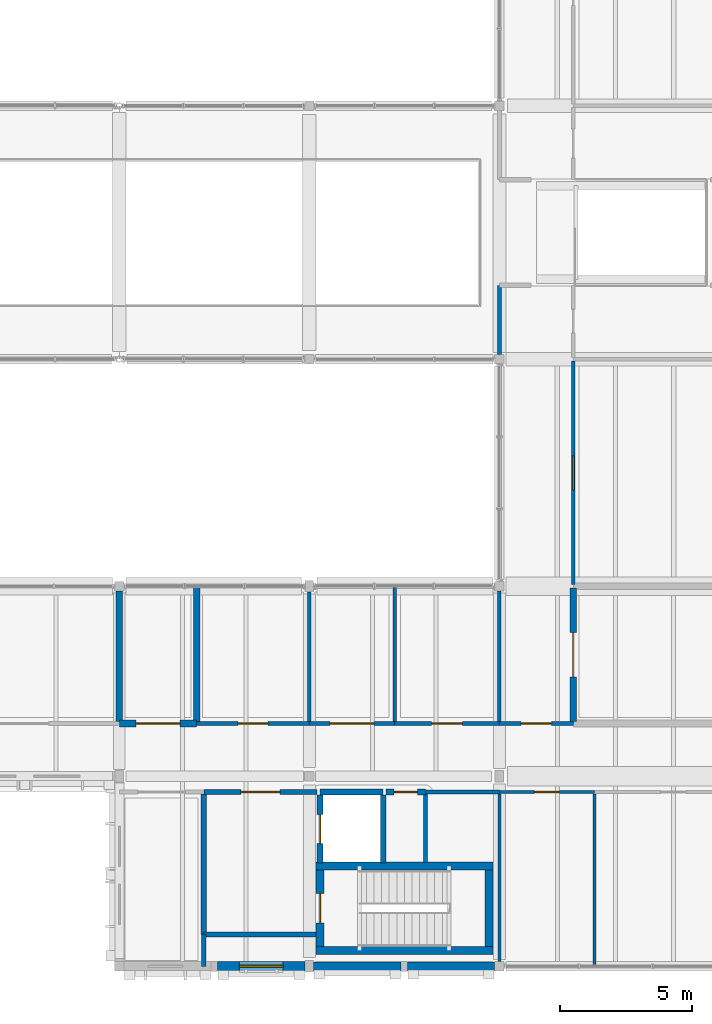
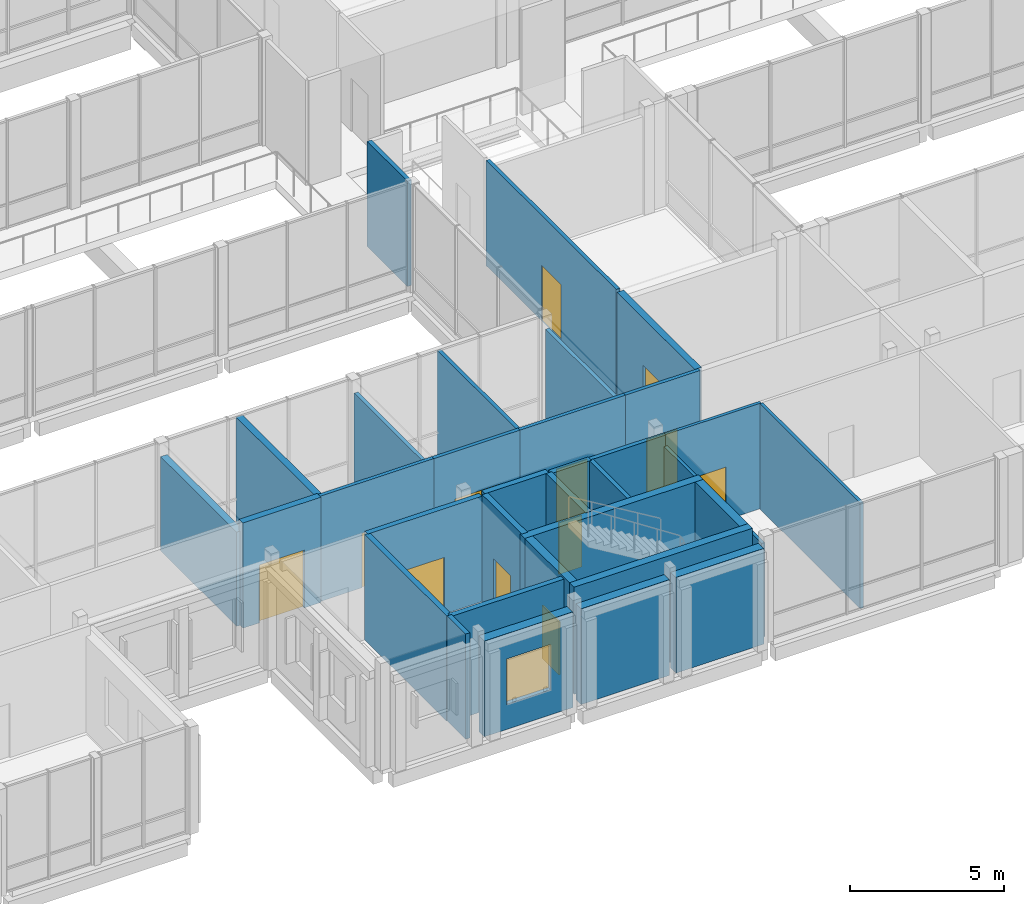
# One storey, part 107 of 146: 33 walls, 12 doors, 1 window, 13 openings.
"""IFC4 building model written with IfcOpenShell, lengths in metres."""

from ifc_helpers import new_model, si_unit, direction, frame, frame_2d, origin, place, context, subcontext, project, spatial, rectangle, extrude, material, layer, layer_set, type_object, element, fill, save


model = new_model("IFC4")

# Units and contexts
model_context = context("Model", 3, precision=1e-05, world=origin(), true_north=direction((0.0, 1.0)))
body_context = subcontext(model_context, "Body", "Model", "MODEL_VIEW")
ifc_project = project(units=[si_unit("LENGTHUNIT", "METRE"), si_unit("AREAUNIT", "SQUARE_METRE"), si_unit("VOLUMEUNIT", "CUBIC_METRE"), si_unit("PLANEANGLEUNIT", "RADIAN"), si_unit("MASSUNIT", "GRAM", prefix="KILO")], contexts=[model_context])

# Site, building, storey
site_placement = place(None, origin())
site = spatial("IfcSite", under=ifc_project, at=site_placement, CompositionType="ELEMENT")
building_placement = place(site_placement, origin())
building = spatial("IfcBuilding", under=site, at=building_placement, Name="Hawrajan Terrace Health Centre", CompositionType="ELEMENT")
storey_placement = place(building_placement, frame((0.0, 0.0, 4.5)))
storey = spatial("IfcBuildingStorey", under=building, at=storey_placement, Name="L01", CompositionType="ELEMENT", Elevation=4.5)

# Wall, opening, door
ifc_material_1 = material(Name="Gypsum board on acoustic stud framing")
ifc_layer_1 = layer(ifc_material_1, 0.139892578125)
ifc_layer_set_1 = layer_set([ifc_layer_1], Name="Gypsum board on acoustic stud framing")
wall_type_1 = type_object("IfcWallType", Name="ClinicalAcousticWall_140", PredefinedType="PARTITIONING", material=ifc_layer_set_1)
wall_1_placement = place(storey_placement, frame((50.72998046875, 13.39990234375, 0.0), z_axis=(0.0, 0.0, 1.0), x_axis=(1.0, 0.0, 0.0)))
wall_1 = element("IfcWall", 1, at=wall_1_placement, inside=storey, type_object=wall_type_1, Name="Interior wall IW-L01-0607", PredefinedType="PARTITIONING", context=body_context, shape_type="SweptSolid", body=[
    extrude(rectangle(XDim=4.27001953125, YDim=0.139892578125, at=frame_2d((2.135009765625, 0.0))), origin(), (0.0, 0.0, 1.0), 4.179931640625),
])
opening_1_placement = place(wall_1_placement, frame((1.574951171875, 0.0, 0.0)))
opening_1 = element("IfcOpeningElement", 2, at=opening_1_placement, cuts=wall_1, Name="Opening D-L01-341", PredefinedType="OPENING", context=body_context, shape_type="SweptSolid", body=[
    extrude(rectangle(XDim=1.1201171875, YDim=2.14990234375, at=frame_2d((0.56005859375, 1.074951171875))), frame((0.0, 0.079833984375, 0.0), z_axis=(0.0, -1.0, 0.0), x_axis=(1.0, 0.0, 0.0)), (0.0, 0.0, 1.0), 0.159912109375),
])
ifc_material_2 = material(Name="Hardwood acoustic clinical door leaf and frame", Category="wood")
door_type_1 = type_object("IfcDoorType", Name="DentalSurgeryDoor_1120x2150", OperationType="NOTDEFINED", PredefinedType="DOOR", material=ifc_material_2)
door_1_placement = place(opening_1_placement, origin())
door_1 = element("IfcDoor", 3, at=door_1_placement, inside=storey, type_object=door_type_1, Name="Interior door D-L01-341", OperationType="SINGLE_SWING_LEFT", OverallHeight=2.14990234375, OverallWidth=1.1201171875, PredefinedType="DOOR", context=body_context, shape_type="SweptSolid", body=[
    extrude(rectangle(XDim=1.1201171875, YDim=2.14990234375, at=frame_2d((0.56005859375, 1.074951171875))), frame((0.0, 0.02490234375, 0.0), z_axis=(0.0, -1.0, 0.0), x_axis=(1.0, 0.0, 0.0)), (0.0, 0.0, 1.0), 0.050048828125),
])
fill(opening_1, door_1)

# Wall
wall_2_placement = place(storey_placement, frame((55.0, 13.469970703125, 0.0), z_axis=(0.0, 0.0, 1.0), x_axis=(0.0, 1.0, 0.0)))
element("IfcWall", 4, at=wall_2_placement, inside=storey, type_object=wall_type_1, Name="Interior wall IW-L01-0612", PredefinedType="PARTITIONING", context=body_context, shape_type="SweptSolid", body=[
    extrude(rectangle(XDim=4.919921875, YDim=0.139892578125, at=frame_2d((2.4599609375, 0.0))), origin(), (0.0, 0.0, 1.0), 3.739990234375),
])

# Wall, opening, door
wall_3_placement = place(storey_placement, frame((55.0, 13.39990234375, 0.0), z_axis=(0.0, 0.0, 1.0), x_axis=(1.0, 0.0, 0.0)))
wall_3 = element("IfcWall", 5, at=wall_3_placement, inside=storey, type_object=wall_type_1, Name="Interior wall IW-L01-0613", PredefinedType="PARTITIONING", context=body_context, shape_type="SweptSolid", body=[
    extrude(rectangle(XDim=3.23291015625, YDim=0.139892578125, at=frame_2d((1.616455078125, 0.0))), origin(), (0.0, 0.0, 1.0), 4.179931640625),
])
opening_2_placement = place(wall_3_placement, frame((0.78662109375, 0.0, 0.0)))
opening_2 = element("IfcOpeningElement", 6, at=opening_2_placement, cuts=wall_3, Name="Opening D-L01-342", PredefinedType="OPENING", context=body_context, shape_type="SweptSolid", body=[
    extrude(rectangle(XDim=1.659912109375, YDim=2.300048828125, at=frame_2d((0.830078125, 1.14990234375))), frame((0.0, 0.079833984375, 0.0), z_axis=(0.0, -1.0, 0.0), x_axis=(1.0, 0.0, 0.0)), (0.0, 0.0, 1.0), 0.159912109375),
])
door_type_2 = type_object("IfcDoorType", Name="RehabGymDoor_1660x2300", OperationType="DOUBLE_DOOR_SINGLE_SWING", PredefinedType="DOOR", material=ifc_material_2)
door_2_placement = place(opening_2_placement, origin())
door_2 = element("IfcDoor", 7, at=door_2_placement, inside=storey, type_object=door_type_2, Name="Interior door D-L01-342", OperationType="DOUBLE_DOOR_SINGLE_SWING", OverallHeight=2.300048828125, OverallWidth=1.659912109375, PredefinedType="DOOR", context=body_context, shape_type="SweptSolid", body=[
    extrude(rectangle(XDim=1.659912109375, YDim=2.300048828125, at=frame_2d((0.830078125, 1.14990234375))), frame((0.0, 0.02490234375, 0.0), z_axis=(0.0, -1.0, 0.0), x_axis=(1.0, 0.0, 0.0)), (0.0, 0.0, 1.0), 0.050048828125),
])
fill(opening_2, door_2)

# Wall
wall_4_placement = place(storey_placement, frame((58.23291015625, 13.469970703125, 0.0), z_axis=(0.0, 0.0, 1.0), x_axis=(0.0, 1.0, 0.0)))
element("IfcWall", 8, at=wall_4_placement, inside=storey, type_object=wall_type_1, Name="Interior wall IW-L01-0620", PredefinedType="PARTITIONING", context=body_context, shape_type="SweptSolid", body=[
    extrude(rectangle(XDim=5.130126953125, YDim=0.139892578125, at=frame_2d((2.56494140625, 0.0))), origin(), (0.0, 0.0, 1.0), 4.179931640625),
])

# Wall, opening, door
wall_5_placement = place(storey_placement, frame((58.23291015625, 13.39990234375, 0.0), z_axis=(0.0, 0.0, 1.0), x_axis=(1.0, 0.0, 0.0)))
wall_5 = element("IfcWall", 9, at=wall_5_placement, inside=storey, type_object=wall_type_1, Name="Interior wall IW-L01-0621", PredefinedType="PARTITIONING", context=body_context, shape_type="SweptSolid", body=[
    extrude(rectangle(XDim=3.967041015625, YDim=0.139892578125, at=frame_2d((1.9833984375, 0.0))), origin(), (0.0, 0.0, 1.0), 4.179931640625),
])
opening_3_placement = place(wall_5_placement, frame((1.403564453125, 0.0, 0.0)))
opening_3 = element("IfcOpeningElement", 10, at=opening_3_placement, cuts=wall_5, Name="Opening D-L01-343", PredefinedType="OPENING", context=body_context, shape_type="SweptSolid", body=[
    extrude(rectangle(XDim=1.159912109375, YDim=2.10009765625, at=frame_2d((0.580078125, 1.050048828125))), frame((0.0, 0.079833984375, 0.0), z_axis=(0.0, -1.0, 0.0), x_axis=(1.0, 0.0, 0.0)), (0.0, 0.0, 1.0), 0.159912109375),
])
door_type_3 = type_object("IfcDoorType", Name="ConsultDoor_1160x2100", OperationType="NOTDEFINED", PredefinedType="DOOR", material=ifc_material_2)
door_3_placement = place(opening_3_placement, origin())
door_3 = element("IfcDoor", 11, at=door_3_placement, inside=storey, type_object=door_type_3, Name="Interior door D-L01-343", OperationType="SINGLE_SWING_LEFT", OverallHeight=2.10009765625, OverallWidth=1.159912109375, PredefinedType="DOOR", context=body_context, shape_type="SweptSolid", body=[
    extrude(rectangle(XDim=1.159912109375, YDim=2.10009765625, at=frame_2d((0.580078125, 1.050048828125))), frame((0.0, 0.02490234375, 0.0), z_axis=(0.0, -1.0, 0.0), x_axis=(1.0, 0.0, 0.0)), (0.0, 0.0, 1.0), 0.050048828125),
])
fill(opening_3, door_3)

# Wall
wall_6_placement = place(storey_placement, frame((62.199951171875, 13.469970703125, 0.0), z_axis=(0.0, 0.0, 1.0), x_axis=(0.0, 1.0, 0.0)))
element("IfcWall", 12, at=wall_6_placement, inside=storey, type_object=wall_type_1, Name="Interior wall IW-L01-0625", PredefinedType="PARTITIONING", context=body_context, shape_type="SweptSolid", body=[
    extrude(rectangle(XDim=4.949951171875, YDim=0.139892578125, at=frame_2d((2.47509765625, 0.0))), origin(), (0.0, 0.0, 1.0), 3.739990234375),
])

# Wall, opening, door
wall_7_placement = place(storey_placement, frame((62.199951171875, 13.39990234375, 0.0), z_axis=(0.0, 0.0, 1.0), x_axis=(1.0, 0.0, 0.0)))
wall_7 = element("IfcWall", 13, at=wall_7_placement, inside=storey, type_object=wall_type_1, Name="Interior wall IW-L01-0626", PredefinedType="PARTITIONING", context=body_context, shape_type="SweptSolid", body=[
    extrude(rectangle(XDim=2.800048828125, YDim=0.139892578125, at=frame_2d((1.39990234375, 0.0))), origin(), (0.0, 0.0, 1.0), 4.179931640625),
])
opening_4_placement = place(wall_7_placement, frame((0.820068359375, 0.0, 0.0)))
opening_4 = element("IfcOpeningElement", 14, at=opening_4_placement, cuts=wall_7, Name="Opening D-L01-263", PredefinedType="OPENING", context=body_context, shape_type="SweptSolid", body=[
    extrude(rectangle(XDim=1.159912109375, YDim=2.10009765625, at=frame_2d((0.580078125, 1.050048828125))), frame((0.0, 0.079833984375, 0.0), z_axis=(0.0, -1.0, 0.0), x_axis=(1.0, 0.0, 0.0)), (0.0, 0.0, 1.0), 0.159912109375),
])
door_4_placement = place(opening_4_placement, origin())
door_4 = element("IfcDoor", 15, at=door_4_placement, inside=storey, type_object=door_type_3, Name="Interior door D-L01-263", OperationType="SINGLE_SWING_LEFT", OverallHeight=2.10009765625, OverallWidth=1.159912109375, PredefinedType="DOOR", context=body_context, shape_type="SweptSolid", body=[
    extrude(rectangle(XDim=1.159912109375, YDim=2.10009765625, at=frame_2d((0.580078125, 1.050048828125))), frame((0.0, 0.02490234375, 0.0), z_axis=(0.0, -1.0, 0.0), x_axis=(1.0, 0.0, 0.0)), (0.0, 0.0, 1.0), 0.050048828125),
])
fill(opening_4, door_4)

wall_8_placement = place(storey_placement, frame((65.0, 18.669921875, 0.0), z_axis=(0.0, 0.0, 1.0), x_axis=(0.0, 1.0, 0.0)))
wall_8 = element("IfcWall", 16, at=wall_8_placement, inside=storey, type_object=wall_type_1, Name="Interior wall IW-L01-0633", PredefinedType="PARTITIONING", context=body_context, shape_type="SweptSolid", body=[
    extrude(rectangle(XDim=8.4599609375, YDim=0.139892578125, at=frame_2d((4.22998046875, 0.0))), origin(), (0.0, 0.0, 1.0), 4.179931640625),
])
opening_5_placement = place(wall_8_placement, frame((3.590087890625, 0.0, 0.0)))
opening_5 = element("IfcOpeningElement", 17, at=opening_5_placement, cuts=wall_8, Name="Opening D-L01-307", PredefinedType="OPENING", context=body_context, shape_type="SweptSolid", body=[
    extrude(rectangle(XDim=1.280029296875, YDim=2.199951171875, at=frame_2d((0.64013671875, 1.10009765625))), frame((0.0, 0.079833984375, 0.0), z_axis=(0.0, -1.0, 0.0), x_axis=(1.0, 0.0, 0.0)), (0.0, 0.0, 1.0), 0.159912109375),
])
door_type_4 = type_object("IfcDoorType", Name="ExamSuiteDoor_1280x2200", OperationType="NOTDEFINED", PredefinedType="DOOR", material=ifc_material_2)
door_5_placement = place(opening_5_placement, origin())
door_5 = element("IfcDoor", 18, at=door_5_placement, inside=storey, type_object=door_type_4, Name="Interior door D-L01-307", OperationType="SINGLE_SWING_LEFT", OverallHeight=2.199951171875, OverallWidth=1.280029296875, PredefinedType="DOOR", context=body_context, shape_type="SweptSolid", body=[
    extrude(rectangle(XDim=1.280029296875, YDim=2.199951171875, at=frame_2d((0.64013671875, 1.10009765625))), frame((0.0, 0.02490234375, 0.0), z_axis=(0.0, -1.0, 0.0), x_axis=(1.0, 0.0, 0.0)), (0.0, 0.0, 1.0), 0.050048828125),
])
fill(opening_5, door_5)

# Walls
ifc_material_3 = material(Name="Precast concrete C40/50", Category="concrete")
ifc_layer_2 = layer(ifc_material_3, 0.340087890625)
ifc_layer_set_2 = layer_set([ifc_layer_2], Name="Precast concrete C40/50")
wall_type_2 = type_object("IfcWallType", Name="CoralAshlarWall_340", PredefinedType="SOLIDWALL", material=ifc_layer_set_2)
wall_9_placement = place(storey_placement, frame((55.159912109375, 4.199951171875, 0.0), z_axis=(0.0, 0.0, 1.0), x_axis=(1.0, 0.0, 0.0)))
element("IfcWall", 19, at=wall_9_placement, inside=storey, type_object=wall_type_2, Name="Exterior wall EW-L01-H07-00-1", PredefinedType="SOLIDWALL", context=body_context, shape_type="SweptSolid", body=[
    extrude(rectangle(XDim=3.320068359375, YDim=0.340087890625, at=frame_2d((1.66015625, 0.0))), origin(), (0.0, 0.0, 1.0), 3.800048828125),
])
wall_10_placement = place(storey_placement, frame((58.719970703125, 4.199951171875, 0.0), z_axis=(0.0, 0.0, 1.0), x_axis=(1.0, 0.0, 0.0)))
element("IfcWall", 20, at=wall_10_placement, inside=storey, type_object=wall_type_2, Name="Exterior wall EW-L01-H07-00-2", PredefinedType="SOLIDWALL", context=body_context, shape_type="SweptSolid", body=[
    extrude(rectangle(XDim=3.300048828125, YDim=0.340087890625, at=frame_2d((1.64990234375, 0.0))), origin(), (0.0, 0.0, 1.0), 3.800048828125),
])

# Wall, opening, window
ifc_layer_3 = layer(ifc_material_3, 0.360107421875)
ifc_layer_set_3 = layer_set([ifc_layer_3], Name="Precast concrete C40/50")
wall_type_3 = type_object("IfcWallType", Name="CoralPodiumWall_360", PredefinedType="SOLIDWALL", material=ifc_layer_set_3)
wall_11_placement = place(storey_placement, frame((51.52001953125, 4.199951171875, 0.0), z_axis=(0.0, 0.0, 1.0), x_axis=(1.0, 0.0, 0.0)))
wall_11 = element("IfcWall", 21, at=wall_11_placement, inside=storey, type_object=wall_type_3, Name="Exterior wall EW-L01-H06-00-2", PredefinedType="SOLIDWALL", context=body_context, shape_type="SweptSolid", body=[
    extrude(rectangle(XDim=3.320068359375, YDim=0.360107421875, at=frame_2d((1.66015625, 0.0))), origin(), (0.0, 0.0, 1.0), 3.800048828125),
])
opening_6_placement = place(wall_11_placement, frame((0.830078125, 0.0, 1.0)))
opening_6 = element("IfcOpeningElement", 22, at=opening_6_placement, cuts=wall_11, Name="Opening W-L01-075", PredefinedType="OPENING", context=body_context, shape_type="SweptSolid", body=[
    extrude(rectangle(XDim=1.659912109375, YDim=1.800048828125, at=frame_2d((0.830078125, 0.89990234375))), frame((0.0, 0.18994140625, 0.0), z_axis=(0.0, -1.0, 0.0), x_axis=(1.0, 0.0, 0.0)), (0.0, 0.0, 1.0), 0.380126953125),
])
ifc_material_4 = material(Name="Anodized bronze frame with double low-E glazing", Category="glass")
window_type = type_object("IfcWindowType", Name="FacadeWindow_1660x1800", PartitioningType="DOUBLE_PANEL_VERTICAL", PredefinedType="WINDOW", material=ifc_material_4)
window_placement = place(opening_6_placement, origin())
window = element("IfcWindow", 23, at=window_placement, inside=storey, type_object=window_type, Name="Window W-L01-075", OverallHeight=1.800048828125, OverallWidth=1.659912109375, PartitioningType="DOUBLE_PANEL_VERTICAL", PredefinedType="WINDOW", context=body_context, shape_type="SweptSolid", body=[
    extrude(rectangle(XDim=1.659912109375, YDim=1.800048828125, at=frame_2d((0.830078125, 0.89990234375))), frame((0.0, 0.030029296875, 0.0), z_axis=(0.0, -1.0, 0.0), x_axis=(1.0, 0.0, 0.0)), (0.0, 0.0, 1.0), 0.06005859375),
])
fill(opening_6, window)

# Walls
ifc_material_5 = material(Name="Concrete C40/50", Category="concrete")
ifc_layer_4 = layer(ifc_material_5, 0.300048828125)
ifc_layer_set_4 = layer_set([ifc_layer_4], Name="Concrete C40/50")
wall_type_4 = type_object("IfcWallType", Name="CoreShearWall_RC300", PredefinedType="SHEAR", material=ifc_layer_set_4)
for number, where, z_axis, x_axis, name in (
    (24, (55.25, 4.800048828125, 0.0), (0.0, 0.0, 1.0), (1.0, 0.0, 0.0), "Core shear wall SW-C4-L01-S"),
    (25, (55.25, 8.0, 0.0), (0.0, 0.0, 1.0), (1.0, 0.0, 0.0), "Core shear wall SW-C4-L01-N"),
):
    element("IfcWall", number, at=place(storey_placement, frame(where, z_axis=z_axis, x_axis=x_axis)), inside=storey, type_object=wall_type_4, Name=name, PredefinedType="SHEAR", context=body_context, shape_type="SweptSolid", body=[
        extrude(rectangle(XDim=6.699951171875, YDim=0.300048828125, at=frame_2d((3.35009765625, 0.0))), origin(), (0.0, 0.0, 1.0), 4.25),
    ])

# Wall, opening, door
wall_12_placement = place(storey_placement, frame((55.39990234375, 4.949951171875, 0.0), z_axis=(0.0, 0.0, 1.0), x_axis=(0.0, 1.0, 0.0)))
wall_12 = element("IfcWall", 26, at=wall_12_placement, inside=storey, type_object=wall_type_4, Name="Core shear wall SW-C4-L01-W", PredefinedType="SHEAR", context=body_context, shape_type="SweptSolid", body=[
    extrude(rectangle(XDim=2.900146484375, YDim=0.300048828125, at=frame_2d((1.4501953125, 0.0))), origin(), (0.0, 0.0, 1.0), 4.25),
])
opening_7_placement = place(wall_12_placement, frame((0.889892578125, 0.0, 0.0)))
opening_7 = element("IfcOpeningElement", 27, at=opening_7_placement, cuts=wall_12, Name="Opening D-L01-242", PredefinedType="OPENING", context=body_context, shape_type="SweptSolid", body=[
    extrude(rectangle(XDim=1.1201171875, YDim=2.10009765625, at=frame_2d((0.56005859375, 1.050048828125))), frame((0.0, 0.159912109375, 0.0), z_axis=(0.0, -1.0, 0.0), x_axis=(1.0, 0.0, 0.0)), (0.0, 0.0, 1.0), 0.320068359375),
])
ifc_material_6 = material(Name="Timber-veneered acoustic fire-resisting door assembly", Category="wood")
door_type_5 = type_object("IfcDoorType", Name="CoreStairDoor_1120x2100", OperationType="NOTDEFINED", PredefinedType="DOOR", material=ifc_material_6)
door_6_placement = place(opening_7_placement, origin())
door_6 = element("IfcDoor", 28, at=door_6_placement, inside=storey, type_object=door_type_5, Name="Interior door D-L01-242", OperationType="SINGLE_SWING_RIGHT", OverallHeight=2.10009765625, OverallWidth=1.1201171875, PredefinedType="DOOR", context=body_context, shape_type="SweptSolid", body=[
    extrude(rectangle(XDim=1.1201171875, YDim=2.10009765625, at=frame_2d((0.56005859375, 1.050048828125))), frame((0.0, 0.02490234375, 0.0), z_axis=(0.0, -1.0, 0.0), x_axis=(1.0, 0.0, 0.0)), (0.0, 0.0, 1.0), 0.050048828125),
])
fill(opening_7, door_6)

# Walls
wall_13_placement = place(storey_placement, frame((61.800048828125, 4.949951171875, 0.0), z_axis=(0.0, 0.0, 1.0), x_axis=(0.0, 1.0, 0.0)))
element("IfcWall", 29, at=wall_13_placement, inside=storey, type_object=wall_type_4, Name="Core shear wall SW-C4-L01-E", PredefinedType="SHEAR", context=body_context, shape_type="SweptSolid", body=[
    extrude(rectangle(XDim=2.900146484375, YDim=0.300048828125, at=frame_2d((1.4501953125, 0.0))), origin(), (0.0, 0.0, 1.0), 4.25),
])
ifc_layer_5 = layer(ifc_material_1, 0.159912109375)
ifc_layer_set_5 = layer_set([ifc_layer_5], Name="Gypsum board on acoustic stud framing")
wall_type_5 = type_object("IfcWallType", Name="CorridorFireWall_160", PredefinedType="PARTITIONING", material=ifc_layer_set_5)
wall_14_placement = place(storey_placement, frame((59.39990234375, 8.139892578125, 0.0), z_axis=(0.0, 0.0, 1.0), x_axis=(0.0, 1.0, 0.0)))
element("IfcWall", 30, at=wall_14_placement, inside=storey, type_object=wall_type_5, Name="Interior wall IW-L01-0844", PredefinedType="PARTITIONING", context=body_context, shape_type="SweptSolid", body=[
    extrude(rectangle(XDim=2.590087890625, YDim=0.159912109375, at=frame_2d((1.294921875, 0.0))), origin(), (0.0, 0.0, 1.0), 4.179931640625),
])
wall_15_placement = place(storey_placement, frame((59.39990234375, 10.800048828125, 0.0), z_axis=(0.0, 0.0, 1.0), x_axis=(1.0, 0.0, 0.0)))
element("IfcWall", 31, at=wall_15_placement, inside=storey, type_object=wall_type_5, Name="Interior wall IW-L01-0860", PredefinedType="PARTITIONING", context=body_context, shape_type="SweptSolid", body=[
    extrude(rectangle(XDim=2.800048828125, YDim=0.159912109375, at=frame_2d((1.39990234375, 0.0))), origin(), (0.0, 0.0, 1.0), 4.179931640625),
])
wall_16_placement = place(storey_placement, frame((62.199951171875, 27.3798828125, 0.0), z_axis=(0.0, 0.0, 1.0), x_axis=(0.0, 1.0, 0.0)))
element("IfcWall", 32, at=wall_16_placement, inside=storey, type_object=wall_type_5, Name="Interior wall IW-L01-0921", PredefinedType="PARTITIONING", context=body_context, shape_type="SweptSolid", body=[
    extrude(rectangle(XDim=2.6201171875, YDim=0.159912109375, at=frame_2d((1.31005859375, 0.0))), origin(), (0.0, 0.0, 1.0), 4.179931640625),
])
wall_17_placement = place(storey_placement, frame((51.0, 4.199951171875, 0.0), z_axis=(0.0, 0.0, 1.0), x_axis=(0.0, 1.0, 0.0)))
element("IfcWall", 33, at=wall_17_placement, inside=storey, type_object=wall_type_5, Name="Interior wall IW-L01-0939", PredefinedType="PARTITIONING", context=body_context, shape_type="SweptSolid", body=[
    extrude(rectangle(XDim=1.199951171875, YDim=0.159912109375, at=frame_2d((0.60009765625, 0.0))), origin(), (0.0, 0.0, 1.0), 4.179931640625),
])
ifc_material_7 = material(Name="Cross-laminated timber CLT C24", Category="wood")
ifc_layer_6 = layer(ifc_material_7, 0.199951171875)
ifc_layer_set_6 = layer_set([ifc_layer_6], Name="Cross-laminated timber CLT C24")
wall_type_6 = type_object("IfcWallType", Name="FireCompartmentWall_200", PredefinedType="PARTITIONING", material=ifc_layer_set_6)
wall_18_placement = place(storey_placement, frame((51.0, 5.39990234375, 0.0), z_axis=(0.0, 0.0, 1.0), x_axis=(0.0, 1.0, 0.0)))
element("IfcWall", 34, at=wall_18_placement, inside=storey, type_object=wall_type_6, Name="Interior wall IW-L01-0608", PredefinedType="PARTITIONING", context=body_context, shape_type="SweptSolid", body=[
    extrude(rectangle(XDim=5.330078125, YDim=0.199951171875, at=frame_2d((2.6650390625, 0.0))), origin(), (0.0, 0.0, 1.0), 4.179931640625),
])

# Wall, opening, door
wall_19_placement = place(storey_placement, frame((51.0, 10.800048828125, 0.0), z_axis=(0.0, 0.0, 1.0), x_axis=(1.0, 0.0, 0.0)))
wall_19 = element("IfcWall", 35, at=wall_19_placement, inside=storey, type_object=wall_type_6, Name="Interior wall IW-L01-0609", PredefinedType="PARTITIONING", context=body_context, shape_type="SweptSolid", body=[
    extrude(rectangle(XDim=4.2900390625, YDim=0.199951171875, at=frame_2d((2.14501953125, 0.0))), origin(), (0.0, 0.0, 1.0), 4.179931640625),
])
opening_8_placement = place(wall_19_placement, frame((1.405029296875, 0.0, 0.0)))
opening_8 = element("IfcOpeningElement", 36, at=opening_8_placement, cuts=wall_19, Name="Opening D-L01-251", PredefinedType="OPENING", context=body_context, shape_type="SweptSolid", body=[
    extrude(rectangle(XDim=1.47998046875, YDim=2.25, at=frame_2d((0.739990234375, 1.125))), frame((0.0, 0.10986328125, 0.0), z_axis=(0.0, -1.0, 0.0), x_axis=(1.0, 0.0, 0.0)), (0.0, 0.0, 1.0), 0.219970703125),
])
door_type_6 = type_object("IfcDoorType", Name="FFLobbyDoor_1480x2250", OperationType="DOUBLE_DOOR_SINGLE_SWING", PredefinedType="DOOR", material=ifc_material_6)
door_7_placement = place(opening_8_placement, origin())
door_7 = element("IfcDoor", 37, at=door_7_placement, inside=storey, type_object=door_type_6, Name="Interior door D-L01-251", OperationType="DOUBLE_DOOR_SINGLE_SWING", OverallHeight=2.25, OverallWidth=1.47998046875, PredefinedType="DOOR", context=body_context, shape_type="SweptSolid", body=[
    extrude(rectangle(XDim=1.47998046875, YDim=2.25, at=frame_2d((0.739990234375, 1.125))), frame((0.0, 0.02490234375, 0.0), z_axis=(0.0, -1.0, 0.0), x_axis=(1.0, 0.0, 0.0)), (0.0, 0.0, 1.0), 0.050048828125),
])
fill(opening_8, door_7)

# Walls
wall_20_placement = place(storey_placement, frame((51.0, 5.39990234375, 0.0), z_axis=(0.0, 0.0, 1.0), x_axis=(1.0, 0.0, 0.0)))
element("IfcWall", 38, at=wall_20_placement, inside=storey, type_object=wall_type_6, Name="Interior wall IW-L01-0848", PredefinedType="PARTITIONING", context=body_context, shape_type="SweptSolid", body=[
    extrude(rectangle(XDim=4.260009765625, YDim=0.199951171875, at=frame_2d((2.1298828125, 0.0))), origin(), (0.0, 0.0, 1.0), 4.179931640625),
])
ifc_layer_7 = layer(ifc_material_5, 0.25)
ifc_layer_set_7 = layer_set([ifc_layer_7], Name="Concrete C40/50")
wall_type_7 = type_object("IfcWallType", Name="RadiationShieldWall_RC250", PredefinedType="SOLIDWALL", material=ifc_layer_set_7)
wall_21_placement = place(storey_placement, frame((47.800048828125, 13.469970703125, 0.0), z_axis=(0.0, 0.0, 1.0), x_axis=(0.0, 1.0, 0.0)))
element("IfcWall", 39, at=wall_21_placement, inside=storey, type_object=wall_type_7, Name="Interior wall IW-L01-0601", PredefinedType="SOLIDWALL", context=body_context, shape_type="SweptSolid", body=[
    extrude(rectangle(XDim=4.949951171875, YDim=0.25, at=frame_2d((2.47509765625, 0.0))), origin(), (0.0, 0.0, 1.0), 3.739990234375),
])

# Wall, opening, door
wall_22_placement = place(storey_placement, frame((47.800048828125, 13.39990234375, 0.0), z_axis=(0.0, 0.0, 1.0), x_axis=(1.0, 0.0, 0.0)))
wall_22 = element("IfcWall", 40, at=wall_22_placement, inside=storey, type_object=wall_type_7, Name="Interior wall IW-L01-0602", PredefinedType="SOLIDWALL", context=body_context, shape_type="SweptSolid", body=[
    extrude(rectangle(XDim=2.929931640625, YDim=0.25, at=frame_2d((1.46484375, 0.0))), origin(), (0.0, 0.0, 1.0), 4.179931640625),
])
opening_9_placement = place(wall_22_placement, frame((0.625, 0.0, 0.0)))
opening_9 = element("IfcOpeningElement", 41, at=opening_9_placement, cuts=wall_22, Name="Opening D-L01-340", PredefinedType="OPENING", context=body_context, shape_type="SweptSolid", body=[
    extrude(rectangle(XDim=1.679931640625, YDim=2.300048828125, at=frame_2d((0.83984375, 1.14990234375))), frame((0.0, 0.135009765625, 0.0), z_axis=(0.0, -1.0, 0.0), x_axis=(1.0, 0.0, 0.0)), (0.0, 0.0, 1.0), 0.27001953125),
])
door_type_7 = type_object("IfcDoorType", Name="ImagingShieldedDoor_1680x2300", OperationType="DOUBLE_DOOR_SINGLE_SWING", PredefinedType="DOOR", material=ifc_material_6)
door_8_placement = place(opening_9_placement, origin())
door_8 = element("IfcDoor", 42, at=door_8_placement, inside=storey, type_object=door_type_7, Name="Interior door D-L01-340", OperationType="DOUBLE_DOOR_SINGLE_SWING", OverallHeight=2.300048828125, OverallWidth=1.679931640625, PredefinedType="DOOR", context=body_context, shape_type="SweptSolid", body=[
    extrude(rectangle(XDim=1.679931640625, YDim=2.300048828125, at=frame_2d((0.83984375, 1.14990234375))), frame((0.0, 0.02490234375, 0.0), z_axis=(0.0, -1.0, 0.0), x_axis=(1.0, 0.0, 0.0)), (0.0, 0.0, 1.0), 0.050048828125),
])
fill(opening_9, door_8)

# Wall
wall_23_placement = place(storey_placement, frame((50.72998046875, 13.469970703125, 0.0), z_axis=(0.0, 0.0, 1.0), x_axis=(0.0, 1.0, 0.0)))
element("IfcWall", 43, at=wall_23_placement, inside=storey, type_object=wall_type_7, Name="Interior wall IW-L01-0606", PredefinedType="SOLIDWALL", context=body_context, shape_type="SweptSolid", body=[
    extrude(rectangle(XDim=5.130126953125, YDim=0.25, at=frame_2d((2.56494140625, 0.0))), origin(), (0.0, 0.0, 1.0), 4.179931640625),
])

# Wall, opening, door
wall_24_placement = place(storey_placement, frame((65.0, 13.469970703125, 0.0), z_axis=(0.0, 0.0, 1.0), x_axis=(0.0, 1.0, 0.0)))
wall_24 = element("IfcWall", 44, at=wall_24_placement, inside=storey, type_object=wall_type_7, Name="Interior wall IW-L01-0631", PredefinedType="SOLIDWALL", context=body_context, shape_type="SweptSolid", body=[
    extrude(rectangle(XDim=5.06005859375, YDim=0.25, at=frame_2d((2.530029296875, 0.0))), origin(), (0.0, 0.0, 1.0), 4.179931640625),
])
opening_10_placement = place(wall_24_placement, frame((1.68994140625, 0.0, 0.0)))
opening_10 = element("IfcOpeningElement", 45, at=opening_10_placement, cuts=wall_24, Name="Opening D-L01-344", PredefinedType="OPENING", context=body_context, shape_type="SweptSolid", body=[
    extrude(rectangle(XDim=1.679931640625, YDim=2.300048828125, at=frame_2d((0.83984375, 1.14990234375))), frame((0.0, 0.135009765625, 0.0), z_axis=(0.0, -1.0, 0.0), x_axis=(1.0, 0.0, 0.0)), (0.0, 0.0, 1.0), 0.27001953125),
])
door_9_placement = place(opening_10_placement, origin())
door_9 = element("IfcDoor", 46, at=door_9_placement, inside=storey, type_object=door_type_7, Name="Interior door D-L01-344", OperationType="DOUBLE_DOOR_SINGLE_SWING", OverallHeight=2.300048828125, OverallWidth=1.679931640625, PredefinedType="DOOR", context=body_context, shape_type="SweptSolid", body=[
    extrude(rectangle(XDim=1.679931640625, YDim=2.300048828125, at=frame_2d((0.83984375, 1.14990234375))), frame((0.0, 0.02490234375, 0.0), z_axis=(0.0, -1.0, 0.0), x_axis=(1.0, 0.0, 0.0)), (0.0, 0.0, 1.0), 0.050048828125),
])
fill(opening_10, door_9)

# Wall
ifc_layer_8 = layer(ifc_material_5, 0.219970703125)
ifc_layer_set_8 = layer_set([ifc_layer_8], Name="Concrete C40/50")
wall_type_8 = type_object("IfcWallType", Name="ShaftWall_RC220", PredefinedType="SOLIDWALL", material=ifc_layer_set_8)
wall_25_placement = place(storey_placement, frame((55.39990234375, 10.800048828125, 0.0), z_axis=(0.0, 0.0, 1.0), x_axis=(1.0, 0.0, 0.0)))
element("IfcWall", 47, at=wall_25_placement, inside=storey, type_object=wall_type_8, Name="Lift shaft wall LW-LC-05-L01-N", PredefinedType="SOLIDWALL", context=body_context, shape_type="SweptSolid", body=[
    extrude(rectangle(XDim=2.400146484375, YDim=0.219970703125, at=frame_2d((1.2001953125, 0.0))), origin(), (0.0, 0.0, 1.0), 4.25),
])

# Wall, opening, door
wall_26_placement = place(storey_placement, frame((55.39990234375, 8.110107421875, 0.0), z_axis=(0.0, 0.0, 1.0), x_axis=(0.0, 1.0, 0.0)))
wall_26 = element("IfcWall", 48, at=wall_26_placement, inside=storey, type_object=wall_type_8, Name="Lift shaft wall LW-LC-05-L01-W", PredefinedType="SOLIDWALL", context=body_context, shape_type="SweptSolid", body=[
    extrude(rectangle(XDim=2.579833984375, YDim=0.219970703125, at=frame_2d((1.2900390625, 0.0))), origin(), (0.0, 0.0, 1.0), 4.25),
])
opening_11_placement = place(wall_26_placement, frame((0.739990234375, 0.0, 0.0)))
opening_11 = element("IfcOpeningElement", 49, at=opening_11_placement, cuts=wall_26, Name="Opening LD-L01-LC-05", PredefinedType="OPENING", context=body_context, shape_type="SweptSolid", body=[
    extrude(rectangle(XDim=1.10009765625, YDim=2.14990234375, at=frame_2d((0.550048828125, 1.074951171875))), frame((0.0, 0.119873046875, 0.0), z_axis=(0.0, -1.0, 0.0), x_axis=(1.0, 0.0, 0.0)), (0.0, 0.0, 1.0), 0.239990234375),
])
ifc_material_8 = material(Name="Brushed bronze stainless-steel sliding lift landing door", Category="steel")
door_type_8 = type_object("IfcDoorType", Name="LiftLandingDoor_1100x2150", OperationType="SLIDING_TO_LEFT", PredefinedType="DOOR", material=ifc_material_8)
door_10_placement = place(opening_11_placement, origin())
door_10 = element("IfcDoor", 50, at=door_10_placement, inside=storey, type_object=door_type_8, Name="Lift landing door LD-L01-LC-05", OperationType="SLIDING_TO_LEFT", OverallHeight=2.14990234375, OverallWidth=1.10009765625, PredefinedType="DOOR", context=body_context, shape_type="SweptSolid", body=[
    extrude(rectangle(XDim=1.10009765625, YDim=2.14990234375, at=frame_2d((0.550048828125, 1.074951171875))), frame((0.0, 0.02490234375, 0.0), z_axis=(0.0, -1.0, 0.0), x_axis=(1.0, 0.0, 0.0)), (0.0, 0.0, 1.0), 0.050048828125),
])
fill(opening_11, door_10)

# Wall
wall_27_placement = place(storey_placement, frame((57.800048828125, 8.110107421875, 0.0), z_axis=(0.0, 0.0, 1.0), x_axis=(0.0, 1.0, 0.0)))
element("IfcWall", 51, at=wall_27_placement, inside=storey, type_object=wall_type_8, Name="Lift shaft wall LW-LC-05-L01-E", PredefinedType="SOLIDWALL", context=body_context, shape_type="SweptSolid", body=[
    extrude(rectangle(XDim=2.579833984375, YDim=0.219970703125, at=frame_2d((1.2900390625, 0.0))), origin(), (0.0, 0.0, 1.0), 4.25),
])

# Wall, opening, door
wall_28_placement = place(storey_placement, frame((57.909912109375, 10.800048828125, 0.0), z_axis=(0.0, 0.0, 1.0), x_axis=(1.0, 0.0, 0.0)))
wall_28 = element("IfcWall", 52, at=wall_28_placement, inside=storey, type_object=wall_type_8, Name="Interior wall IW-L01-0617", PredefinedType="SOLIDWALL", context=body_context, shape_type="SweptSolid", body=[
    extrude(rectangle(XDim=1.489990234375, YDim=0.219970703125, at=frame_2d((0.7451171875, 0.0))), origin(), (0.0, 0.0, 1.0), 4.179931640625),
])
opening_12_placement = place(wall_28_placement, frame((0.304931640625, 0.0, 0.0)))
opening_12 = element("IfcOpeningElement", 53, at=opening_12_placement, cuts=wall_28, Name="Opening D-L01-299", PredefinedType="OPENING", context=body_context, shape_type="SweptSolid", body=[
    extrude(rectangle(XDim=0.8798828125, YDim=2.050048828125, at=frame_2d((0.43994140625, 1.02490234375))), frame((0.0, 0.119873046875, 0.0), z_axis=(0.0, -1.0, 0.0), x_axis=(1.0, 0.0, 0.0)), (0.0, 0.0, 1.0), 0.239990234375),
])
door_type_9 = type_object("IfcDoorType", Name="RiserAccessDoor_880x2050", OperationType="NOTDEFINED", PredefinedType="DOOR", material=ifc_material_6)
door_11_placement = place(opening_12_placement, origin())
door_11 = element("IfcDoor", 54, at=door_11_placement, inside=storey, type_object=door_type_9, Name="Service riser access door D-L01-299", OperationType="SINGLE_SWING_LEFT", OverallHeight=2.050048828125, OverallWidth=0.8798828125, PredefinedType="DOOR", context=body_context, shape_type="SweptSolid", body=[
    extrude(rectangle(XDim=0.8798828125, YDim=2.050048828125, at=frame_2d((0.43994140625, 1.02490234375))), frame((0.0, 0.02490234375, 0.0), z_axis=(0.0, -1.0, 0.0), x_axis=(1.0, 0.0, 0.0)), (0.0, 0.0, 1.0), 0.050048828125),
])
fill(opening_12, door_11)

ifc_material_9 = material(Name="Moisture-resistant board on stud framing")
ifc_layer_9 = layer(ifc_material_9, 0.1201171875)
ifc_layer_set_9 = layer_set([ifc_layer_9], Name="Moisture-resistant board on stud framing")
wall_type_9 = type_object("IfcWallType", Name="WetRoomPartition_120", PredefinedType="PLUMBINGWALL", material=ifc_layer_set_9)
wall_29_placement = place(storey_placement, frame((62.199951171875, 10.800048828125, 0.0), z_axis=(0.0, 0.0, 1.0), x_axis=(1.0, 0.0, 0.0)))
wall_29 = element("IfcWall", 55, at=wall_29_placement, inside=storey, type_object=wall_type_9, Name="Interior wall IW-L01-0624", PredefinedType="PLUMBINGWALL", context=body_context, shape_type="SweptSolid", body=[
    extrude(rectangle(XDim=3.60009765625, YDim=0.1201171875, at=frame_2d((1.800048828125, 0.0))), origin(), (0.0, 0.0, 1.0), 4.179931640625),
])
opening_13_placement = place(wall_29_placement, frame((1.324951171875, 0.0, 0.0)))
opening_13 = element("IfcOpeningElement", 56, at=opening_13_placement, cuts=wall_29, Name="Opening D-L01-302", PredefinedType="OPENING", context=body_context, shape_type="SweptSolid", body=[
    extrude(rectangle(XDim=0.949951171875, YDim=2.10009765625, at=frame_2d((0.47509765625, 1.050048828125))), frame((0.0, 0.070068359375, 0.0), z_axis=(0.0, -1.0, 0.0), x_axis=(1.0, 0.0, 0.0)), (0.0, 0.0, 1.0), 0.14013671875),
])
door_type_10 = type_object("IfcDoorType", Name="AccessibleWCDoor_950x2100", OperationType="NOTDEFINED", PredefinedType="DOOR", material=ifc_material_2)
door_12_placement = place(opening_13_placement, origin())
door_12 = element("IfcDoor", 57, at=door_12_placement, inside=storey, type_object=door_type_10, Name="Interior door D-L01-302", OperationType="SINGLE_SWING_RIGHT", OverallHeight=2.10009765625, OverallWidth=0.949951171875, PredefinedType="DOOR", context=body_context, shape_type="SweptSolid", body=[
    extrude(rectangle(XDim=0.949951171875, YDim=2.10009765625, at=frame_2d((0.47509765625, 1.050048828125))), frame((0.0, 0.02490234375, 0.0), z_axis=(0.0, -1.0, 0.0), x_axis=(1.0, 0.0, 0.0)), (0.0, 0.0, 1.0), 0.050048828125),
])
fill(opening_13, door_12)

# Walls
wall_30_placement = place(storey_placement, frame((65.800048828125, 4.199951171875, 0.0), z_axis=(0.0, 0.0, 1.0), x_axis=(0.0, 1.0, 0.0)))
element("IfcWall", 58, at=wall_30_placement, inside=storey, type_object=wall_type_9, Name="Interior wall IW-L01-0647", PredefinedType="PLUMBINGWALL", context=body_context, shape_type="SweptSolid", body=[
    extrude(rectangle(XDim=6.530029296875, YDim=0.1201171875, at=frame_2d((3.26513671875, 0.0))), origin(), (0.0, 0.0, 1.0), 4.179931640625),
])
wall_31_placement = place(storey_placement, frame((62.199951171875, 4.3798828125, 0.0), z_axis=(0.0, 0.0, 1.0), x_axis=(0.0, 1.0, 0.0)))
element("IfcWall", 59, at=wall_31_placement, inside=storey, type_object=wall_type_9, Name="Interior wall IW-L01-0926", PredefinedType="PLUMBINGWALL", context=body_context, shape_type="SweptSolid", body=[
    extrude(rectangle(XDim=6.35009765625, YDim=0.1201171875, at=frame_2d((3.175048828125, 0.0))), origin(), (0.0, 0.0, 1.0), 3.739990234375),
])

save(model, "model.ifc")
